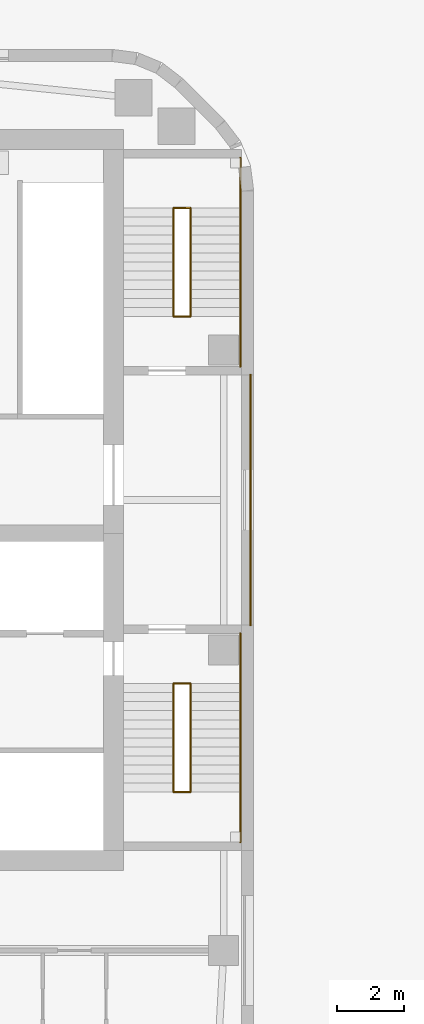
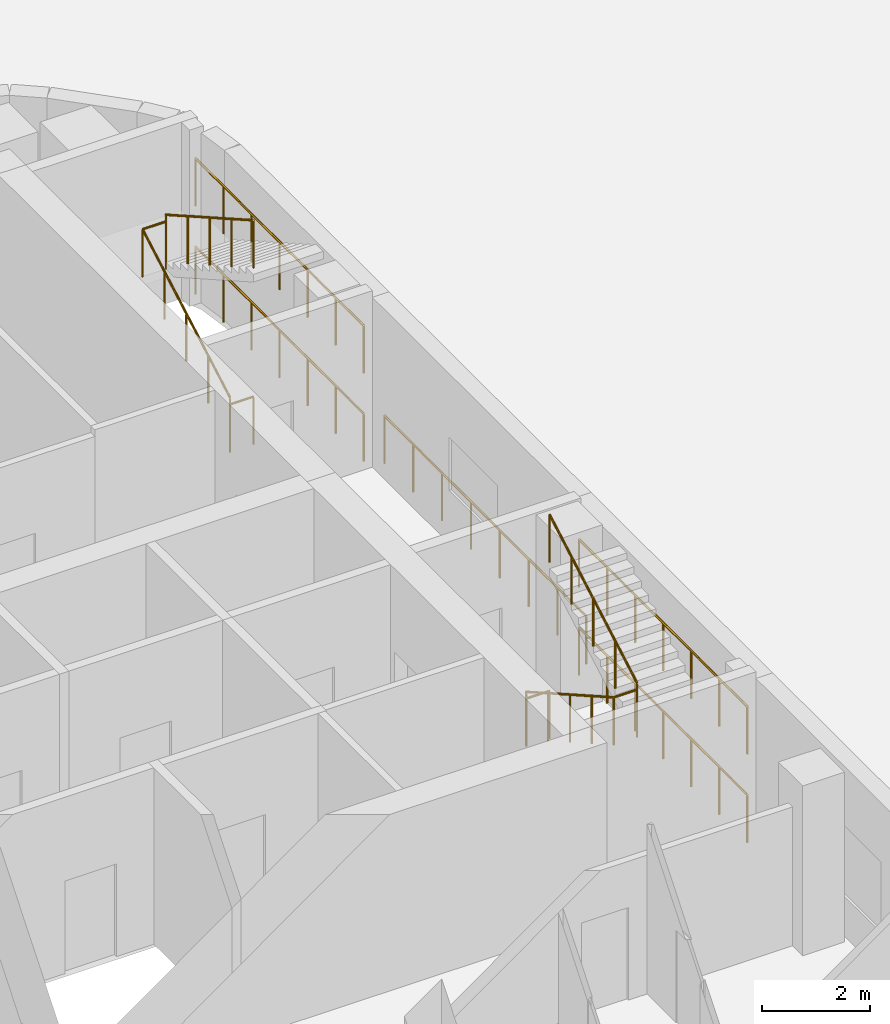
# One storey, part 15 of 18: 13 railings.
"""IFC4 building model written with IfcOpenShell, lengths in metres."""

from ifc_helpers import new_model, si_unit, direction, frame, origin, origin_2d, place, context, subcontext, project, spatial, circle, extrude, material, type_object, element, save


model = new_model("IFC4")

# Units and contexts
model_context = context("Model", 3, precision=1e-05, world=origin(), true_north=direction((0.0, 1.0)))
body_context = subcontext(model_context, "Body", "Model", "MODEL_VIEW")
ifc_project = project(units=[si_unit("LENGTHUNIT", "METRE"), si_unit("AREAUNIT", "SQUARE_METRE"), si_unit("VOLUMEUNIT", "CUBIC_METRE"), si_unit("PLANEANGLEUNIT", "RADIAN"), si_unit("MASSUNIT", "GRAM", prefix="KILO")], contexts=[model_context])

# Site, building, storey
site_placement = place(None, origin())
site = spatial("IfcSite", under=ifc_project, at=site_placement, CompositionType="ELEMENT")
building_placement = place(site_placement, origin())
building = spatial("IfcBuilding", under=site, at=building_placement, Name="Cinnabar Reach Civic Tower", CompositionType="ELEMENT")
storey_placement = place(building_placement, frame((0.0, 0.0, 26.0)))
storey = spatial("IfcBuildingStorey", under=building, at=storey_placement, Name="L05", CompositionType="ELEMENT", Elevation=26.0)

# Railings
ifc_material = material(Name="Stainless steel", Category="steel")
railing_type = type_object("IfcRailingType", Name="T2 Stair guard 1100", PredefinedType="GUARDRAIL", material=ifc_material)
railing_1_placement = place(storey_placement, frame((-27.1, 27.75, 0.0)))
element("IfcRailing", 1, at=railing_1_placement, inside=storey, type_object=railing_type, Name="Corridor end guard", PredefinedType="GUARDRAIL", context=body_context, shape_type="SweptSolid", body=[
    extrude(circle(Radius=0.024, at=origin_2d()), frame((0.0, 0.0, 1.076), z_axis=(0.0, 1.0, 0.0), x_axis=(-1.0, 0.0, 0.0)), (0.0, 0.0, 1.0), 7.5),
    extrude(circle(Radius=0.021, at=origin_2d()), origin(), (0.0, 0.0, 1.0), 1.052),
    extrude(circle(Radius=0.021, at=origin_2d()), frame((0.0, 1.0714, 0.0)), (0.0, 0.0, 1.0), 1.052),
    extrude(circle(Radius=0.021, at=origin_2d()), frame((0.0, 2.1429, 0.0)), (0.0, 0.0, 1.0), 1.052),
    extrude(circle(Radius=0.021, at=origin_2d()), frame((0.0, 3.2143, 0.0)), (0.0, 0.0, 1.0), 1.052),
    extrude(circle(Radius=0.021, at=origin_2d()), frame((0.0, 4.2857, 0.0)), (0.0, 0.0, 1.0), 1.052),
    extrude(circle(Radius=0.021, at=origin_2d()), frame((0.0, 5.3571, 0.0)), (0.0, 0.0, 1.0), 1.052),
    extrude(circle(Radius=0.021, at=origin_2d()), frame((0.0, 6.4286, 0.0)), (0.0, 0.0, 1.0), 1.052),
    extrude(circle(Radius=0.021, at=origin_2d()), frame((0.0, 7.5, 0.0)), (0.0, 0.0, 1.0), 1.052),
])
for number, where, name in (
    (2, (-27.4, 21.25, 0.0), "Stair guard 1"),
    (3, (-27.4, 21.25, 2.0), "Stair guard 1"),
):
    element("IfcRailing", number, at=place(storey_placement, frame(where)), inside=storey, type_object=railing_type, Name=name, PredefinedType="GUARDRAIL", context=body_context, shape_type="SweptSolid", body=[
        extrude(circle(Radius=0.024, at=origin_2d()), frame((0.0, 0.0, 1.076), z_axis=(0.0, 1.0, 0.0), x_axis=(-1.0, 0.0, 0.0)), (0.0, 0.0, 1.0), 6.25),
        extrude(circle(Radius=0.021, at=origin_2d()), origin(), (0.0, 0.0, 1.0), 1.052),
        extrude(circle(Radius=0.021, at=origin_2d()), frame((0.0, 1.0417, 0.0)), (0.0, 0.0, 1.0), 1.052),
        extrude(circle(Radius=0.021, at=origin_2d()), frame((0.0, 2.0833, 0.0)), (0.0, 0.0, 1.0), 1.052),
        extrude(circle(Radius=0.021, at=origin_2d()), frame((0.0, 3.125, 0.0)), (0.0, 0.0, 1.0), 1.052),
        extrude(circle(Radius=0.021, at=origin_2d()), frame((0.0, 4.1667, 0.0)), (0.0, 0.0, 1.0), 1.052),
        extrude(circle(Radius=0.021, at=origin_2d()), frame((0.0, 5.2083, 0.0)), (0.0, 0.0, 1.0), 1.052),
        extrude(circle(Radius=0.021, at=origin_2d()), frame((0.0, 6.25, 0.0)), (0.0, 0.0, 1.0), 1.052),
    ])
for number, where, name in (
    (4, (-29.4, 26.0, 0.0), "Stair guard 1"),
    (5, (-29.4, 22.75, 2.0), "Stair guard 1"),
):
    element("IfcRailing", number, at=place(storey_placement, frame(where)), inside=storey, type_object=railing_type, Name=name, PredefinedType="GUARDRAIL", context=body_context, shape_type="SweptSolid", body=[
        extrude(circle(Radius=0.024, at=origin_2d()), frame((0.0, 0.0, 1.076), z_axis=(1.0, 0.0, 0.0), x_axis=(0.0, 1.0, 0.0)), (0.0, 0.0, 1.0), 0.5),
        extrude(circle(Radius=0.021, at=origin_2d()), origin(), (0.0, 0.0, 1.0), 1.052),
        extrude(circle(Radius=0.021, at=origin_2d()), frame((0.5, 0.0, 0.0)), (0.0, 0.0, 1.0), 1.052),
    ])
railing_2_placement = place(storey_placement, frame((-29.4, 26.0, 0.1538)))
element("IfcRailing", 6, at=railing_2_placement, inside=storey, type_object=railing_type, Name="Stair guard 1", PredefinedType="GUARDRAIL", context=body_context, shape_type="SweptSolid", body=[
    extrude(circle(Radius=0.024, at=origin_2d()), frame((0.0, 0.0, 1.076), z_axis=(0.0, -0.869501474428, 0.493930345258), x_axis=(1.0, 0.0, 0.0)), (0.0, 0.0, 1.0), 3.7378),
    extrude(circle(Radius=0.021, at=origin_2d()), origin(), (0.0, 0.0, 1.0), 1.052),
    extrude(circle(Radius=0.021, at=origin_2d()), frame((0.0, -0.8125, 0.4615)), (0.0, 0.0, 1.0), 1.052),
    extrude(circle(Radius=0.021, at=origin_2d()), frame((0.0, -1.625, 0.9231)), (0.0, 0.0, 1.0), 1.052),
    extrude(circle(Radius=0.021, at=origin_2d()), frame((0.0, -2.4375, 1.3846)), (0.0, 0.0, 1.0), 1.052),
    extrude(circle(Radius=0.021, at=origin_2d()), frame((0.0, -3.25, 1.8462)), (0.0, 0.0, 1.0), 1.052),
])
railing_3_placement = place(storey_placement, frame((-28.9, 22.75, 2.1538)))
element("IfcRailing", 7, at=railing_3_placement, inside=storey, type_object=railing_type, Name="Stair guard 1", PredefinedType="GUARDRAIL", context=body_context, shape_type="SweptSolid", body=[
    extrude(circle(Radius=0.024, at=origin_2d()), frame((0.0, 0.0, 1.076), z_axis=(0.0, 0.869501474428, 0.493930345258), x_axis=(-1.0, 0.0, 0.0)), (0.0, 0.0, 1.0), 3.7378),
    extrude(circle(Radius=0.021, at=origin_2d()), origin(), (0.0, 0.0, 1.0), 1.052),
    extrude(circle(Radius=0.021, at=origin_2d()), frame((0.0, 0.8125, 0.4615)), (0.0, 0.0, 1.0), 1.052),
    extrude(circle(Radius=0.021, at=origin_2d()), frame((0.0, 1.625, 0.9231)), (0.0, 0.0, 1.0), 1.052),
    extrude(circle(Radius=0.021, at=origin_2d()), frame((0.0, 2.4375, 1.3846)), (0.0, 0.0, 1.0), 1.052),
    extrude(circle(Radius=0.021, at=origin_2d()), frame((0.0, 3.25, 1.8462)), (0.0, 0.0, 1.0), 1.052),
])
for number, where, name in (
    (8, (-27.4, 35.5, 0.0), "Stair guard 2"),
    (9, (-27.4, 35.5, 2.0), "Stair guard 2"),
):
    element("IfcRailing", number, at=place(storey_placement, frame(where)), inside=storey, type_object=railing_type, Name=name, PredefinedType="GUARDRAIL", context=body_context, shape_type="SweptSolid", body=[
        extrude(circle(Radius=0.024, at=origin_2d()), frame((0.0, 0.0, 1.076), z_axis=(0.0, 1.0, 0.0), x_axis=(-1.0, 0.0, 0.0)), (0.0, 0.0, 1.0), 6.25),
        extrude(circle(Radius=0.021, at=origin_2d()), origin(), (0.0, 0.0, 1.0), 1.052),
        extrude(circle(Radius=0.021, at=origin_2d()), frame((0.0, 1.0417, 0.0)), (0.0, 0.0, 1.0), 1.052),
        extrude(circle(Radius=0.021, at=origin_2d()), frame((0.0, 2.0833, 0.0)), (0.0, 0.0, 1.0), 1.052),
        extrude(circle(Radius=0.021, at=origin_2d()), frame((0.0, 3.125, 0.0)), (0.0, 0.0, 1.0), 1.052),
        extrude(circle(Radius=0.021, at=origin_2d()), frame((0.0, 4.1667, 0.0)), (0.0, 0.0, 1.0), 1.052),
        extrude(circle(Radius=0.021, at=origin_2d()), frame((0.0, 5.2083, 0.0)), (0.0, 0.0, 1.0), 1.052),
        extrude(circle(Radius=0.021, at=origin_2d()), frame((0.0, 6.25, 0.0)), (0.0, 0.0, 1.0), 1.052),
    ])
for number, where, name in (
    (10, (-29.4, 37.0, 0.0), "Stair guard 2"),
    (11, (-29.4, 40.25, 2.0), "Stair guard 2"),
):
    element("IfcRailing", number, at=place(storey_placement, frame(where)), inside=storey, type_object=railing_type, Name=name, PredefinedType="GUARDRAIL", context=body_context, shape_type="SweptSolid", body=[
        extrude(circle(Radius=0.024, at=origin_2d()), frame((0.0, 0.0, 1.076), z_axis=(1.0, 0.0, 0.0), x_axis=(0.0, 1.0, 0.0)), (0.0, 0.0, 1.0), 0.5),
        extrude(circle(Radius=0.021, at=origin_2d()), origin(), (0.0, 0.0, 1.0), 1.052),
        extrude(circle(Radius=0.021, at=origin_2d()), frame((0.5, 0.0, 0.0)), (0.0, 0.0, 1.0), 1.052),
    ])
railing_4_placement = place(storey_placement, frame((-29.4, 37.0, 0.1538)))
element("IfcRailing", 12, at=railing_4_placement, inside=storey, type_object=railing_type, Name="Stair guard 2", PredefinedType="GUARDRAIL", context=body_context, shape_type="SweptSolid", body=[
    extrude(circle(Radius=0.024, at=origin_2d()), frame((0.0, 0.0, 1.076), z_axis=(0.0, 0.869501474428, 0.493930345258), x_axis=(-1.0, 0.0, 0.0)), (0.0, 0.0, 1.0), 3.7378),
    extrude(circle(Radius=0.021, at=origin_2d()), origin(), (0.0, 0.0, 1.0), 1.052),
    extrude(circle(Radius=0.021, at=origin_2d()), frame((0.0, 0.8125, 0.4615)), (0.0, 0.0, 1.0), 1.052),
    extrude(circle(Radius=0.021, at=origin_2d()), frame((0.0, 1.625, 0.9231)), (0.0, 0.0, 1.0), 1.052),
    extrude(circle(Radius=0.021, at=origin_2d()), frame((0.0, 2.4375, 1.3846)), (0.0, 0.0, 1.0), 1.052),
    extrude(circle(Radius=0.021, at=origin_2d()), frame((0.0, 3.25, 1.8462)), (0.0, 0.0, 1.0), 1.052),
])
railing_5_placement = place(storey_placement, frame((-28.9, 40.25, 2.1538)))
element("IfcRailing", 13, at=railing_5_placement, inside=storey, type_object=railing_type, Name="Stair guard 2", PredefinedType="GUARDRAIL", context=body_context, shape_type="SweptSolid", body=[
    extrude(circle(Radius=0.024, at=origin_2d()), frame((0.0, 0.0, 1.076), z_axis=(0.0, -0.869501474428, 0.493930345258), x_axis=(1.0, 0.0, 0.0)), (0.0, 0.0, 1.0), 3.7378),
    extrude(circle(Radius=0.021, at=origin_2d()), origin(), (0.0, 0.0, 1.0), 1.052),
    extrude(circle(Radius=0.021, at=origin_2d()), frame((0.0, -0.8125, 0.4615)), (0.0, 0.0, 1.0), 1.052),
    extrude(circle(Radius=0.021, at=origin_2d()), frame((0.0, -1.625, 0.9231)), (0.0, 0.0, 1.0), 1.052),
    extrude(circle(Radius=0.021, at=origin_2d()), frame((0.0, -2.4375, 1.3846)), (0.0, 0.0, 1.0), 1.052),
    extrude(circle(Radius=0.021, at=origin_2d()), frame((0.0, -3.25, 1.8462)), (0.0, 0.0, 1.0), 1.052),
])

save(model, "model.ifc")
